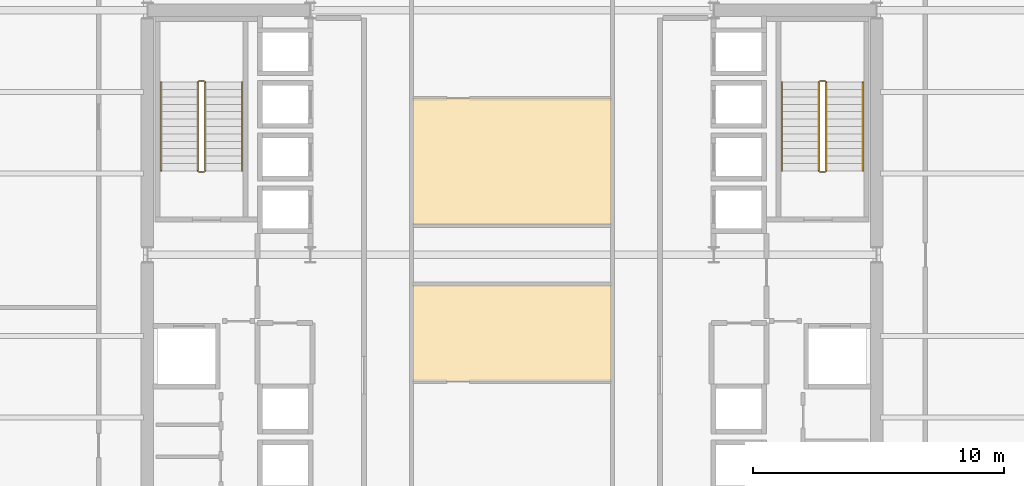
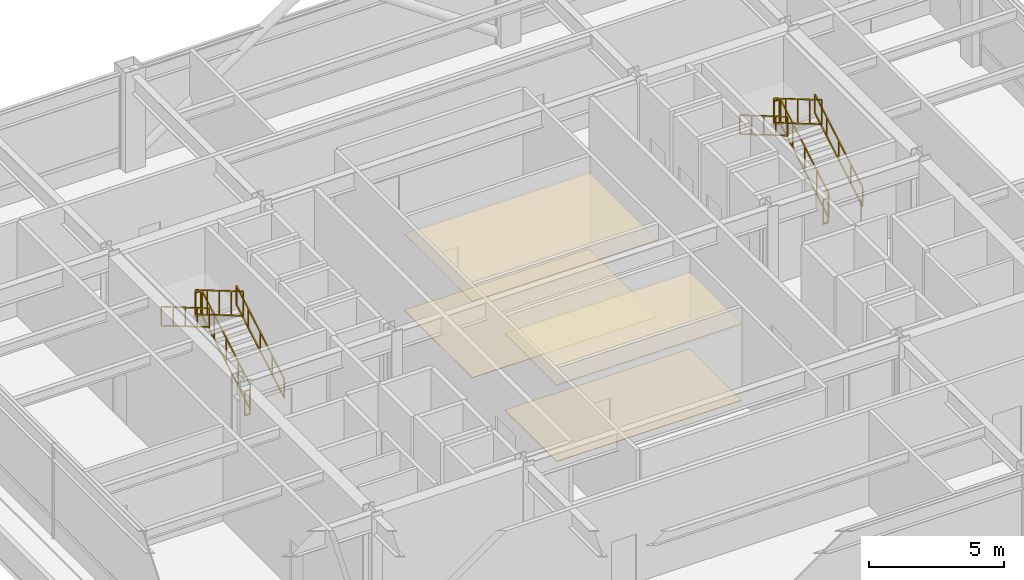
# One storey, part 32 of 32: 12 railings, 4 coverings.
"""IFC4 building model written with IfcOpenShell, lengths in metres."""

from ifc_helpers import new_model, si_unit, direction, frame, origin, origin_2d, place, context, subcontext, project, spatial, polyline, rectangle, outline, extrude, material, layer, layer_set, type_object, element, save


model = new_model("IFC4")

# Units and contexts
model_context = context("Model", 3, precision=1e-05, world=origin(), true_north=direction((0.0, 1.0)))
body_context = subcontext(model_context, "Body", "Model", "MODEL_VIEW")
ifc_project = project(units=[si_unit("LENGTHUNIT", "METRE"), si_unit("AREAUNIT", "SQUARE_METRE"), si_unit("VOLUMEUNIT", "CUBIC_METRE"), si_unit("PLANEANGLEUNIT", "RADIAN"), si_unit("MASSUNIT", "GRAM", prefix="KILO")], contexts=[model_context])

# Site, building, storey
site_placement = place(None, origin())
site = spatial("IfcSite", under=ifc_project, at=site_placement, CompositionType="ELEMENT")
building_placement = place(site_placement, origin())
building = spatial("IfcBuilding", under=site, at=building_placement, Name="Brelmoor Portico Tower", CompositionType="ELEMENT")
storey_placement = place(building_placement, frame((0.0, 0.0, 87.300048828125)))
storey = spatial("IfcBuildingStorey", under=building, at=storey_placement, Name="L22", CompositionType="ELEMENT", Elevation=87.300048828125)

# Coverings
ifc_material_1 = material(Name="Powder-Coated Aluminium Acoustic Baffle Ceiling", Category="aluminium")
ifc_layer_1 = layer(ifc_material_1, 0.044921875)
ifc_layer_set_1 = layer_set([ifc_layer_1], Name="Powder-Coated Aluminium Acoustic Baffle Ceiling")
covering_type_1 = type_object("IfcCoveringType", Name="CV-CEIL-BAFFLE-45", PredefinedType="CEILING", material=ifc_layer_set_1)
covering_1_placement = place(storey_placement, frame((0.0, 0.0, 3.449951171875)))
element("IfcCovering", 1, at=covering_1_placement, inside=storey, type_object=covering_type_1, Name="L22 Acoustic Suspended Ceiling 02", PredefinedType="CEILING", context=body_context, shape_type="SweptSolid", body=[
    extrude(outline(polyline([(-3.9599609375, -5.06005859375), (-3.9599609375, -1.199951171875), (3.9599609375, -1.199951171875), (3.9599609375, -5.06005859375), (-3.9599609375, -5.06005859375)])), origin(), (0.0, 0.0, 1.0), 0.044921875),
])
ifc_material_2 = material(Name="Micro-Perforated Aluminium Clip-In Ceiling", Category="aluminium")
ifc_layer_2 = layer(ifc_material_2, 0.031982421875)
ifc_layer_set_2 = layer_set([ifc_layer_2], Name="Micro-Perforated Aluminium Clip-In Ceiling")
covering_type_2 = type_object("IfcCoveringType", Name="CV-CEIL-METAL-32", PredefinedType="CEILING", material=ifc_layer_set_2)
covering_2_placement = place(storey_placement, frame((0.0, 0.0, 3.449951171875)))
element("IfcCovering", 2, at=covering_2_placement, inside=storey, type_object=covering_type_2, Name="L22 Acoustic Suspended Ceiling 01", PredefinedType="CEILING", context=body_context, shape_type="SweptSolid", body=[
    extrude(outline(polyline([(-3.9599609375, 1.199951171875), (-3.9599609375, 6.260009765625), (3.9599609375, 6.260009765625), (3.9599609375, 1.199951171875), (-3.9599609375, 1.199951171875)])), origin(), (0.0, 0.0, 1.0), 0.031982421875),
])
ifc_material_3 = material(Name="Rectified Vitrified Porcelain Floor Tile", Category="ceramic")
ifc_layer_3 = layer(ifc_material_3, 0.01806640625)
ifc_layer_set_3 = layer_set([ifc_layer_3], Name="Rectified Vitrified Porcelain Floor Tile")
covering_type_3 = type_object("IfcCoveringType", Name="CV-FLR-PORCELAIN-18", PredefinedType="FLOORING", material=ifc_layer_set_3)
covering_3_placement = place(storey_placement, origin())
element("IfcCovering", 3, at=covering_3_placement, inside=storey, type_object=covering_type_3, Name="L22 Architectural Floor Finish 01", PredefinedType="FLOORING", context=body_context, shape_type="SweptSolid", body=[
    extrude(outline(polyline([(-3.9599609375, 1.199951171875), (-3.9599609375, 6.260009765625), (3.9599609375, 6.260009765625), (3.9599609375, 1.199951171875), (-3.9599609375, 1.199951171875)])), origin(), (0.0, 0.0, 1.0), 0.01806640625),
])
ifc_material_4 = material(Name="Engineered Quarter-Sawn Oak Parquet Flooring", Category="timber")
ifc_layer_4 = layer(ifc_material_4, 0.02197265625)
ifc_layer_set_4 = layer_set([ifc_layer_4], Name="Engineered Quarter-Sawn Oak Parquet Flooring")
covering_type_4 = type_object("IfcCoveringType", Name="CV-FLR-TIMBER-22", PredefinedType="FLOORING", material=ifc_layer_set_4)
covering_4_placement = place(storey_placement, origin())
element("IfcCovering", 4, at=covering_4_placement, inside=storey, type_object=covering_type_4, Name="L22 Architectural Floor Finish 02", PredefinedType="FLOORING", context=body_context, shape_type="SweptSolid", body=[
    extrude(outline(polyline([(-3.9599609375, -5.06005859375), (-3.9599609375, -1.199951171875), (3.9599609375, -1.199951171875), (3.9599609375, -5.06005859375), (-3.9599609375, -5.06005859375)])), origin(), (0.0, 0.0, 1.0), 0.02197265625),
])

# Railings
ifc_material_5 = material(Name="Painted Tubular Steel Q235B", Category="steel")
railing_type_1 = type_object("IfcRailingType", Name="RL-STAIR-GUARD", PredefinedType="GUARDRAIL", material=ifc_material_5)
railing_1_placement = place(storey_placement, frame((-12.239990234375, 3.35009765625, 0.173095703125)))
element("IfcRailing", 5, at=railing_1_placement, inside=storey, type_object=railing_type_1, Name="L22 ST-W stair guard 1", PredefinedType="GUARDRAIL", context=body_context, shape_type="SweptSolid", body=[
    extrude(rectangle(XDim=0.048095703125, YDim=0.048095703125, at=origin_2d()), frame((0.0, 0.0, 1.1259765625), z_axis=(0.0, 0.862501018769, 0.506055325654), x_axis=(-1.0, 0.0, 0.0)), (0.0, 0.0, 1.0), 4.10400390625),
    extrude(rectangle(XDim=0.048095703125, YDim=0.048095703125, at=origin_2d()), frame((0.0, 0.0, 0.02392578125), z_axis=(0.0, 0.862501018769, 0.506055325654), x_axis=(-1.0, 0.0, 0.0)), (0.0, 0.0, 1.0), 4.10400390625),
    extrude(rectangle(XDim=0.0419921875, YDim=0.0419921875, at=origin_2d()), origin(), (0.0, 0.0, 1.0), 1.101806640625),
    extrude(rectangle(XDim=0.0419921875, YDim=0.0419921875, at=origin_2d()), frame((0.0, 0.885009765625, 0.519287109375)), (0.0, 0.0, 1.0), 1.101806640625),
    extrude(rectangle(XDim=0.0419921875, YDim=0.0419921875, at=origin_2d()), frame((0.0, 1.77001953125, 1.03857421875)), (0.0, 0.0, 1.0), 1.101806640625),
    extrude(rectangle(XDim=0.0419921875, YDim=0.0419921875, at=origin_2d()), frame((0.0, 2.65478515625, 1.5576171875)), (0.0, 0.0, 1.0), 1.101806640625),
    extrude(rectangle(XDim=0.0419921875, YDim=0.0419921875, at=origin_2d()), frame((0.0, 3.539794921875, 2.076904296875)), (0.0, 0.0, 1.0), 1.101806640625),
])
railing_2_placement = place(storey_placement, frame((-12.2900390625, 6.93994140625, 2.25)))
element("IfcRailing", 6, at=railing_2_placement, inside=storey, type_object=railing_type_1, Name="L22 ST-W stair guard 2", PredefinedType="GUARDRAIL", context=body_context, shape_type="SweptSolid", body=[
    extrude(rectangle(XDim=0.048095703125, YDim=0.048095703125, at=origin_2d()), frame((0.0, 0.0, 1.1259765625), z_axis=(-1.0, 0.0, 0.0), x_axis=(0.0, -1.0, 0.0)), (0.0, 0.0, 1.0), 0.199951171875),
    extrude(rectangle(XDim=0.048095703125, YDim=0.048095703125, at=origin_2d()), frame((0.0, 0.0, 0.02392578125), z_axis=(-1.0, 0.0, 0.0), x_axis=(0.0, -1.0, 0.0)), (0.0, 0.0, 1.0), 0.199951171875),
    extrude(rectangle(XDim=0.0419921875, YDim=0.0419921875, at=origin_2d()), origin(), (0.0, 0.0, 1.0), 1.101806640625),
    extrude(rectangle(XDim=0.0419921875, YDim=0.0419921875, at=origin_2d()), frame((-0.199951171875, 0.0, 0.0)), (0.0, 0.0, 1.0), 1.101806640625),
])
railing_3_placement = place(storey_placement, frame((-12.5400390625, 6.889892578125, 2.423095703125)))
element("IfcRailing", 7, at=railing_3_placement, inside=storey, type_object=railing_type_1, Name="L22 ST-W stair guard 3", PredefinedType="GUARDRAIL", context=body_context, shape_type="SweptSolid", body=[
    extrude(rectangle(XDim=0.048095703125, YDim=0.048095703125, at=origin_2d()), frame((0.0, 0.0, 1.1259765625), z_axis=(0.0, -0.862501018769, 0.506055325654), x_axis=(1.0, 0.0, 0.0)), (0.0, 0.0, 1.0), 4.10400390625),
    extrude(rectangle(XDim=0.048095703125, YDim=0.048095703125, at=origin_2d()), frame((0.0, 0.0, 0.02392578125), z_axis=(0.0, -0.862501018769, 0.506055325654), x_axis=(1.0, 0.0, 0.0)), (0.0, 0.0, 1.0), 4.10400390625),
    extrude(rectangle(XDim=0.0419921875, YDim=0.0419921875, at=origin_2d()), origin(), (0.0, 0.0, 1.0), 1.101806640625),
    extrude(rectangle(XDim=0.0419921875, YDim=0.0419921875, at=origin_2d()), frame((0.0, -0.885009765625, 0.519287109375)), (0.0, 0.0, 1.0), 1.101806640625),
    extrude(rectangle(XDim=0.0419921875, YDim=0.0419921875, at=origin_2d()), frame((0.0, -1.77001953125, 1.03857421875)), (0.0, 0.0, 1.0), 1.101806640625),
    extrude(rectangle(XDim=0.0419921875, YDim=0.0419921875, at=origin_2d()), frame((0.0, -2.65478515625, 1.5576171875)), (0.0, 0.0, 1.0), 1.101806640625),
    extrude(rectangle(XDim=0.0419921875, YDim=0.0419921875, at=origin_2d()), frame((0.0, -3.539794921875, 2.076904296875)), (0.0, 0.0, 1.0), 1.101806640625),
])
railing_4_placement = place(storey_placement, frame((-12.2900390625, 3.300048828125, 0.0)))
element("IfcRailing", 8, at=railing_4_placement, inside=storey, type_object=railing_type_1, Name="L22 ST-W stair guard 4", PredefinedType="GUARDRAIL", context=body_context, shape_type="SweptSolid", body=[
    extrude(rectangle(XDim=0.048095703125, YDim=0.048095703125, at=origin_2d()), frame((0.0, 0.0, 1.1259765625), z_axis=(-1.0, 0.0, 0.0), x_axis=(0.0, -1.0, 0.0)), (0.0, 0.0, 1.0), 0.199951171875),
    extrude(rectangle(XDim=0.048095703125, YDim=0.048095703125, at=origin_2d()), frame((0.0, 0.0, 0.02392578125), z_axis=(-1.0, 0.0, 0.0), x_axis=(0.0, -1.0, 0.0)), (0.0, 0.0, 1.0), 0.199951171875),
    extrude(rectangle(XDim=0.0419921875, YDim=0.0419921875, at=origin_2d()), origin(), (0.0, 0.0, 1.0), 1.101806640625),
    extrude(rectangle(XDim=0.0419921875, YDim=0.0419921875, at=origin_2d()), frame((-0.199951171875, 0.0, 0.0)), (0.0, 0.0, 1.0), 1.101806640625),
])
railing_5_placement = place(storey_placement, frame((12.5400390625, 3.35009765625, 0.173095703125)))
element("IfcRailing", 9, at=railing_5_placement, inside=storey, type_object=railing_type_1, Name="L22 ST-E stair guard 1", PredefinedType="GUARDRAIL", context=body_context, shape_type="SweptSolid", body=[
    extrude(rectangle(XDim=0.048095703125, YDim=0.048095703125, at=origin_2d()), frame((0.0, 0.0, 1.1259765625), z_axis=(0.0, 0.862501018769, 0.506055325654), x_axis=(-1.0, 0.0, 0.0)), (0.0, 0.0, 1.0), 4.10400390625),
    extrude(rectangle(XDim=0.048095703125, YDim=0.048095703125, at=origin_2d()), frame((0.0, 0.0, 0.02392578125), z_axis=(0.0, 0.862501018769, 0.506055325654), x_axis=(-1.0, 0.0, 0.0)), (0.0, 0.0, 1.0), 4.10400390625),
    extrude(rectangle(XDim=0.0419921875, YDim=0.0419921875, at=origin_2d()), origin(), (0.0, 0.0, 1.0), 1.101806640625),
    extrude(rectangle(XDim=0.0419921875, YDim=0.0419921875, at=origin_2d()), frame((0.0, 0.885009765625, 0.519287109375)), (0.0, 0.0, 1.0), 1.101806640625),
    extrude(rectangle(XDim=0.0419921875, YDim=0.0419921875, at=origin_2d()), frame((0.0, 1.77001953125, 1.03857421875)), (0.0, 0.0, 1.0), 1.101806640625),
    extrude(rectangle(XDim=0.0419921875, YDim=0.0419921875, at=origin_2d()), frame((0.0, 2.65478515625, 1.5576171875)), (0.0, 0.0, 1.0), 1.101806640625),
    extrude(rectangle(XDim=0.0419921875, YDim=0.0419921875, at=origin_2d()), frame((0.0, 3.539794921875, 2.076904296875)), (0.0, 0.0, 1.0), 1.101806640625),
])
railing_6_placement = place(storey_placement, frame((12.489990234375, 6.93994140625, 2.25)))
element("IfcRailing", 10, at=railing_6_placement, inside=storey, type_object=railing_type_1, Name="L22 ST-E stair guard 2", PredefinedType="GUARDRAIL", context=body_context, shape_type="SweptSolid", body=[
    extrude(rectangle(XDim=0.048095703125, YDim=0.048095703125, at=origin_2d()), frame((0.0, 0.0, 1.1259765625), z_axis=(-1.0, 0.0, 0.0), x_axis=(0.0, -1.0, 0.0)), (0.0, 0.0, 1.0), 0.199951171875),
    extrude(rectangle(XDim=0.048095703125, YDim=0.048095703125, at=origin_2d()), frame((0.0, 0.0, 0.02392578125), z_axis=(-1.0, 0.0, 0.0), x_axis=(0.0, -1.0, 0.0)), (0.0, 0.0, 1.0), 0.199951171875),
    extrude(rectangle(XDim=0.0419921875, YDim=0.0419921875, at=origin_2d()), origin(), (0.0, 0.0, 1.0), 1.101806640625),
    extrude(rectangle(XDim=0.0419921875, YDim=0.0419921875, at=origin_2d()), frame((-0.199951171875, 0.0, 0.0)), (0.0, 0.0, 1.0), 1.101806640625),
])
railing_7_placement = place(storey_placement, frame((12.239990234375, 6.889892578125, 2.423095703125)))
element("IfcRailing", 11, at=railing_7_placement, inside=storey, type_object=railing_type_1, Name="L22 ST-E stair guard 3", PredefinedType="GUARDRAIL", context=body_context, shape_type="SweptSolid", body=[
    extrude(rectangle(XDim=0.048095703125, YDim=0.048095703125, at=origin_2d()), frame((0.0, 0.0, 1.1259765625), z_axis=(0.0, -0.862501018769, 0.506055325654), x_axis=(1.0, 0.0, 0.0)), (0.0, 0.0, 1.0), 4.10400390625),
    extrude(rectangle(XDim=0.048095703125, YDim=0.048095703125, at=origin_2d()), frame((0.0, 0.0, 0.02392578125), z_axis=(0.0, -0.862501018769, 0.506055325654), x_axis=(1.0, 0.0, 0.0)), (0.0, 0.0, 1.0), 4.10400390625),
    extrude(rectangle(XDim=0.0419921875, YDim=0.0419921875, at=origin_2d()), origin(), (0.0, 0.0, 1.0), 1.101806640625),
    extrude(rectangle(XDim=0.0419921875, YDim=0.0419921875, at=origin_2d()), frame((0.0, -0.885009765625, 0.519287109375)), (0.0, 0.0, 1.0), 1.101806640625),
    extrude(rectangle(XDim=0.0419921875, YDim=0.0419921875, at=origin_2d()), frame((0.0, -1.77001953125, 1.03857421875)), (0.0, 0.0, 1.0), 1.101806640625),
    extrude(rectangle(XDim=0.0419921875, YDim=0.0419921875, at=origin_2d()), frame((0.0, -2.65478515625, 1.5576171875)), (0.0, 0.0, 1.0), 1.101806640625),
    extrude(rectangle(XDim=0.0419921875, YDim=0.0419921875, at=origin_2d()), frame((0.0, -3.539794921875, 2.076904296875)), (0.0, 0.0, 1.0), 1.101806640625),
])
railing_8_placement = place(storey_placement, frame((12.489990234375, 3.300048828125, 0.0)))
element("IfcRailing", 12, at=railing_8_placement, inside=storey, type_object=railing_type_1, Name="L22 ST-E stair guard 4", PredefinedType="GUARDRAIL", context=body_context, shape_type="SweptSolid", body=[
    extrude(rectangle(XDim=0.048095703125, YDim=0.048095703125, at=origin_2d()), frame((0.0, 0.0, 1.1259765625), z_axis=(-1.0, 0.0, 0.0), x_axis=(0.0, -1.0, 0.0)), (0.0, 0.0, 1.0), 0.199951171875),
    extrude(rectangle(XDim=0.048095703125, YDim=0.048095703125, at=origin_2d()), frame((0.0, 0.0, 0.02392578125), z_axis=(-1.0, 0.0, 0.0), x_axis=(0.0, -1.0, 0.0)), (0.0, 0.0, 1.0), 0.199951171875),
    extrude(rectangle(XDim=0.0419921875, YDim=0.0419921875, at=origin_2d()), origin(), (0.0, 0.0, 1.0), 1.101806640625),
    extrude(rectangle(XDim=0.0419921875, YDim=0.0419921875, at=origin_2d()), frame((-0.199951171875, 0.0, 0.0)), (0.0, 0.0, 1.0), 1.101806640625),
])
ifc_material_6 = material(Name="Brushed Stainless Steel 304", Category="steel")
railing_type_2 = type_object("IfcRailingType", Name="RL-STAIR-HANDRAIL", PredefinedType="HANDRAIL", material=ifc_material_6)
railing_9_placement = place(storey_placement, frame((-10.780029296875, 3.35009765625, 0.173095703125)))
element("IfcRailing", 13, at=railing_9_placement, inside=storey, type_object=railing_type_2, Name="L22 ST-W stair handrail 1", PredefinedType="HANDRAIL", context=body_context, shape_type="SweptSolid", body=[
    extrude(rectangle(XDim=0.048095703125, YDim=0.048095703125, at=origin_2d()), frame((0.0, 0.0, 0.8759765625), z_axis=(0.0, 0.862501018769, 0.506055325654), x_axis=(-1.0, 0.0, 0.0)), (0.0, 0.0, 1.0), 4.10400390625),
    extrude(rectangle(XDim=0.048095703125, YDim=0.048095703125, at=origin_2d()), frame((0.0, 0.0, 0.02392578125), z_axis=(0.0, 0.862501018769, 0.506055325654), x_axis=(-1.0, 0.0, 0.0)), (0.0, 0.0, 1.0), 4.10400390625),
    extrude(rectangle(XDim=0.0419921875, YDim=0.0419921875, at=origin_2d()), origin(), (0.0, 0.0, 1.0), 0.851806640625),
    extrude(rectangle(XDim=0.0419921875, YDim=0.0419921875, at=origin_2d()), frame((0.0, 0.885009765625, 0.519287109375)), (0.0, 0.0, 1.0), 0.851806640625),
    extrude(rectangle(XDim=0.0419921875, YDim=0.0419921875, at=origin_2d()), frame((0.0, 1.77001953125, 1.03857421875)), (0.0, 0.0, 1.0), 0.851806640625),
    extrude(rectangle(XDim=0.0419921875, YDim=0.0419921875, at=origin_2d()), frame((0.0, 2.65478515625, 1.5576171875)), (0.0, 0.0, 1.0), 0.851806640625),
    extrude(rectangle(XDim=0.0419921875, YDim=0.0419921875, at=origin_2d()), frame((0.0, 3.539794921875, 2.076904296875)), (0.0, 0.0, 1.0), 0.851806640625),
])
railing_10_placement = place(storey_placement, frame((-14.0, 6.889892578125, 2.423095703125)))
element("IfcRailing", 14, at=railing_10_placement, inside=storey, type_object=railing_type_2, Name="L22 ST-W stair handrail 2", PredefinedType="HANDRAIL", context=body_context, shape_type="SweptSolid", body=[
    extrude(rectangle(XDim=0.048095703125, YDim=0.048095703125, at=origin_2d()), frame((0.0, 0.0, 0.8759765625), z_axis=(0.0, -0.862501018769, 0.506055325654), x_axis=(1.0, 0.0, 0.0)), (0.0, 0.0, 1.0), 4.10400390625),
    extrude(rectangle(XDim=0.048095703125, YDim=0.048095703125, at=origin_2d()), frame((0.0, 0.0, 0.02392578125), z_axis=(0.0, -0.862501018769, 0.506055325654), x_axis=(1.0, 0.0, 0.0)), (0.0, 0.0, 1.0), 4.10400390625),
    extrude(rectangle(XDim=0.0419921875, YDim=0.0419921875, at=origin_2d()), origin(), (0.0, 0.0, 1.0), 0.851806640625),
    extrude(rectangle(XDim=0.0419921875, YDim=0.0419921875, at=origin_2d()), frame((0.0, -0.885009765625, 0.519287109375)), (0.0, 0.0, 1.0), 0.851806640625),
    extrude(rectangle(XDim=0.0419921875, YDim=0.0419921875, at=origin_2d()), frame((0.0, -1.77001953125, 1.03857421875)), (0.0, 0.0, 1.0), 0.851806640625),
    extrude(rectangle(XDim=0.0419921875, YDim=0.0419921875, at=origin_2d()), frame((0.0, -2.65478515625, 1.5576171875)), (0.0, 0.0, 1.0), 0.851806640625),
    extrude(rectangle(XDim=0.0419921875, YDim=0.0419921875, at=origin_2d()), frame((0.0, -3.539794921875, 2.076904296875)), (0.0, 0.0, 1.0), 0.851806640625),
])
railing_11_placement = place(storey_placement, frame((14.0, 3.35009765625, 0.173095703125)))
element("IfcRailing", 15, at=railing_11_placement, inside=storey, type_object=railing_type_2, Name="L22 ST-E stair handrail 1", PredefinedType="HANDRAIL", context=body_context, shape_type="SweptSolid", body=[
    extrude(rectangle(XDim=0.048095703125, YDim=0.048095703125, at=origin_2d()), frame((0.0, 0.0, 0.8759765625), z_axis=(0.0, 0.862501018769, 0.506055325654), x_axis=(-1.0, 0.0, 0.0)), (0.0, 0.0, 1.0), 4.10400390625),
    extrude(rectangle(XDim=0.048095703125, YDim=0.048095703125, at=origin_2d()), frame((0.0, 0.0, 0.02392578125), z_axis=(0.0, 0.862501018769, 0.506055325654), x_axis=(-1.0, 0.0, 0.0)), (0.0, 0.0, 1.0), 4.10400390625),
    extrude(rectangle(XDim=0.0419921875, YDim=0.0419921875, at=origin_2d()), origin(), (0.0, 0.0, 1.0), 0.851806640625),
    extrude(rectangle(XDim=0.0419921875, YDim=0.0419921875, at=origin_2d()), frame((0.0, 0.885009765625, 0.519287109375)), (0.0, 0.0, 1.0), 0.851806640625),
    extrude(rectangle(XDim=0.0419921875, YDim=0.0419921875, at=origin_2d()), frame((0.0, 1.77001953125, 1.03857421875)), (0.0, 0.0, 1.0), 0.851806640625),
    extrude(rectangle(XDim=0.0419921875, YDim=0.0419921875, at=origin_2d()), frame((0.0, 2.65478515625, 1.5576171875)), (0.0, 0.0, 1.0), 0.851806640625),
    extrude(rectangle(XDim=0.0419921875, YDim=0.0419921875, at=origin_2d()), frame((0.0, 3.539794921875, 2.076904296875)), (0.0, 0.0, 1.0), 0.851806640625),
])
railing_12_placement = place(storey_placement, frame((10.780029296875, 6.889892578125, 2.423095703125)))
element("IfcRailing", 16, at=railing_12_placement, inside=storey, type_object=railing_type_2, Name="L22 ST-E stair handrail 2", PredefinedType="HANDRAIL", context=body_context, shape_type="SweptSolid", body=[
    extrude(rectangle(XDim=0.048095703125, YDim=0.048095703125, at=origin_2d()), frame((0.0, 0.0, 0.8759765625), z_axis=(0.0, -0.862501018769, 0.506055325654), x_axis=(1.0, 0.0, 0.0)), (0.0, 0.0, 1.0), 4.10400390625),
    extrude(rectangle(XDim=0.048095703125, YDim=0.048095703125, at=origin_2d()), frame((0.0, 0.0, 0.02392578125), z_axis=(0.0, -0.862501018769, 0.506055325654), x_axis=(1.0, 0.0, 0.0)), (0.0, 0.0, 1.0), 4.10400390625),
    extrude(rectangle(XDim=0.0419921875, YDim=0.0419921875, at=origin_2d()), origin(), (0.0, 0.0, 1.0), 0.851806640625),
    extrude(rectangle(XDim=0.0419921875, YDim=0.0419921875, at=origin_2d()), frame((0.0, -0.885009765625, 0.519287109375)), (0.0, 0.0, 1.0), 0.851806640625),
    extrude(rectangle(XDim=0.0419921875, YDim=0.0419921875, at=origin_2d()), frame((0.0, -1.77001953125, 1.03857421875)), (0.0, 0.0, 1.0), 0.851806640625),
    extrude(rectangle(XDim=0.0419921875, YDim=0.0419921875, at=origin_2d()), frame((0.0, -2.65478515625, 1.5576171875)), (0.0, 0.0, 1.0), 0.851806640625),
    extrude(rectangle(XDim=0.0419921875, YDim=0.0419921875, at=origin_2d()), frame((0.0, -3.539794921875, 2.076904296875)), (0.0, 0.0, 1.0), 0.851806640625),
])

save(model, "model.ifc")
